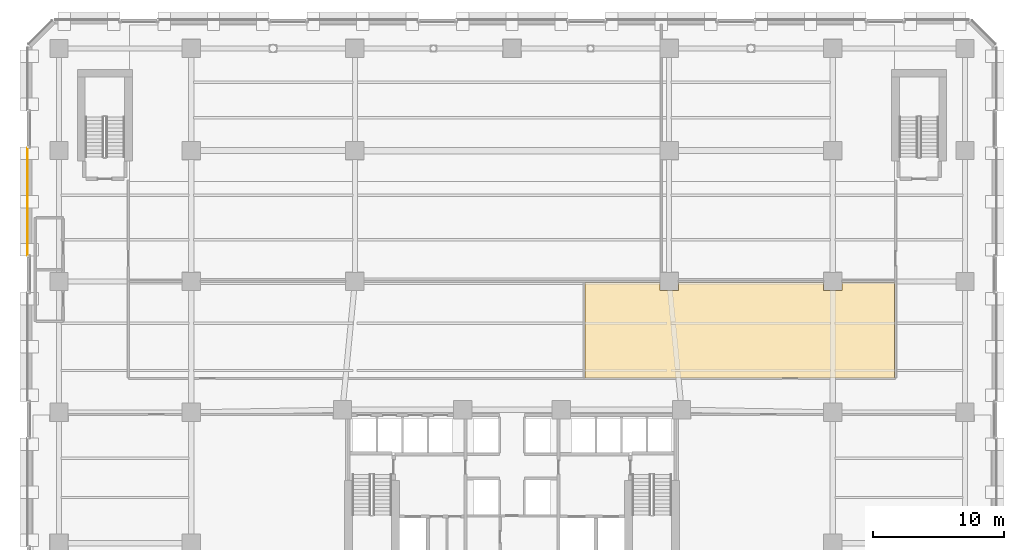
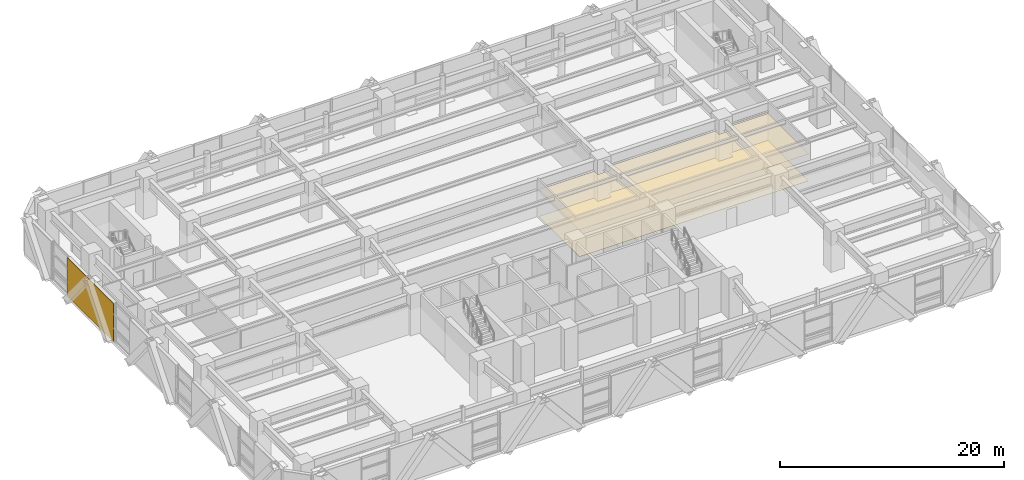
# One storey, part 23 of 26: 3 coverings.
"""IFC4 building model written with IfcOpenShell, lengths in metres."""

from ifc_helpers import new_model, si_unit, direction, frame, origin, place, context, subcontext, project, spatial, polyline, outline, extrude, material, layer, layer_set, type_object, element, save


model = new_model("IFC4")

# Units and contexts
model_context = context("Model", 3, precision=1e-05, world=origin(), true_north=direction((0.0, 1.0)))
body_context = subcontext(model_context, "Body", "Model", "MODEL_VIEW")
ifc_project = project(units=[si_unit("LENGTHUNIT", "METRE"), si_unit("AREAUNIT", "SQUARE_METRE"), si_unit("VOLUMEUNIT", "CUBIC_METRE"), si_unit("PLANEANGLEUNIT", "RADIAN"), si_unit("MASSUNIT", "GRAM", prefix="KILO")], contexts=[model_context])

# Site, building, storey
site_placement = place(None, origin())
site = spatial("IfcSite", under=ifc_project, at=site_placement, CompositionType="ELEMENT")
building_placement = place(site_placement, origin())
building = spatial("IfcBuilding", under=site, at=building_placement, Name="Quenlor Broadcast Tower", CompositionType="ELEMENT")
storey_placement = place(building_placement, frame((0.0, 0.0, 14.0)))
storey = spatial("IfcBuildingStorey", under=building, at=storey_placement, Name="L03", CompositionType="ELEMENT", Elevation=14.0)

# Coverings
ifc_material_1 = material(Name="Acoustic Mineral Fibre Board", Category="other")
ifc_layer_1 = layer(ifc_material_1, 0.02490234375)
ifc_layer_set_1 = layer_set([ifc_layer_1], Name="Acoustic Perforated Mineral Tile Ceiling 25")
covering_type_1 = type_object("IfcCoveringType", Name="Acoustic Perforated Mineral Tile Ceiling 25", PredefinedType="CEILING", material=ifc_layer_set_1)
covering_1_placement = place(storey_placement, frame((0.0, 0.0, 2.925048828125)))
element("IfcCovering", 1, at=covering_1_placement, inside=storey, type_object=covering_type_1, Name="L03 Acoustic Ceiling L03-35", PredefinedType="CEILING", context=body_context, shape_type="SweptSolid", body=[
    extrude(outline(polyline([(11.2919921875, 4.2919921875), (12.7080078125, 4.2919921875), (12.7080078125, 4.919921875), (23.7919921875, 4.919921875), (23.7919921875, 4.2919921875), (25.2080078125, 4.2919921875), (25.2080078125, 4.919921875), (29.199951171875, 4.919921875), (29.199951171875, -2.360107421875), (5.580078125, -2.360107421875), (5.580078125, 4.919921875), (11.2919921875, 4.919921875), (11.2919921875, 4.2919921875)])), origin(), (0.0, 0.0, 1.0), 0.02490234375),
])
ifc_material_2 = material(Name="Architectural Terracotta Ceramic", Category="masonry")
ifc_layer_2 = layer(ifc_material_2, 0.044921875)
ifc_layer_set_2 = layer_set([ifc_layer_2], Name="Fluted Terracotta Rainscreen Cladding Panel")
covering_type_2 = type_object("IfcCoveringType", Name="Fluted Terracotta Rainscreen Cladding Panel", PredefinedType="CLADDING", material=ifc_layer_set_2)
covering_2_placement = place(storey_placement, frame((0.0, 0.0, 0.02001953125)))
element("IfcCovering", 2, at=covering_2_placement, inside=storey, type_object=covering_type_2, Name="L03 Terracotta Rainscreen Cladding L03-W-FULL-SP4", PredefinedType="CLADDING", context=body_context, shape_type="SweptSolid", body=[
    extrude(outline(polyline([(-36.971923828125, 6.977294921875), (-36.971923828125, 15.22265625), (-37.01708984375, 15.22265625), (-37.01708984375, 6.977294921875), (-36.971923828125, 6.977294921875)])), origin(), (0.0, 0.0, 1.0), 4.159912109375),
])
ifc_material_3 = material(Name="Terrazzo Stone Finish", Category="masonry")
ifc_layer_3 = layer(ifc_material_3, 0.02001953125)
ifc_layer_set_3 = layer_set([ifc_layer_3], Name="Polished Sandstone Terrazzo Flooring 20")
covering_type_3 = type_object("IfcCoveringType", Name="Polished Sandstone Terrazzo Flooring 20", PredefinedType="FLOORING", material=ifc_layer_set_3)
covering_3_placement = place(storey_placement, origin())
element("IfcCovering", 3, at=covering_3_placement, inside=storey, type_object=covering_type_3, Name="L03 Terrazzo Flooring L03-35", PredefinedType="FLOORING", context=body_context, shape_type="SweptSolid", body=[
    extrude(outline(polyline([(11.2919921875, 4.2919921875), (12.7080078125, 4.2919921875), (12.7080078125, 4.919921875), (23.7919921875, 4.919921875), (23.7919921875, 4.2919921875), (25.2080078125, 4.2919921875), (25.2080078125, 4.919921875), (29.199951171875, 4.919921875), (29.199951171875, -2.360107421875), (5.580078125, -2.360107421875), (5.580078125, 4.919921875), (11.2919921875, 4.919921875), (11.2919921875, 4.2919921875)])), origin(), (0.0, 0.0, 1.0), 0.02001953125),
])

save(model, "model.ifc")
